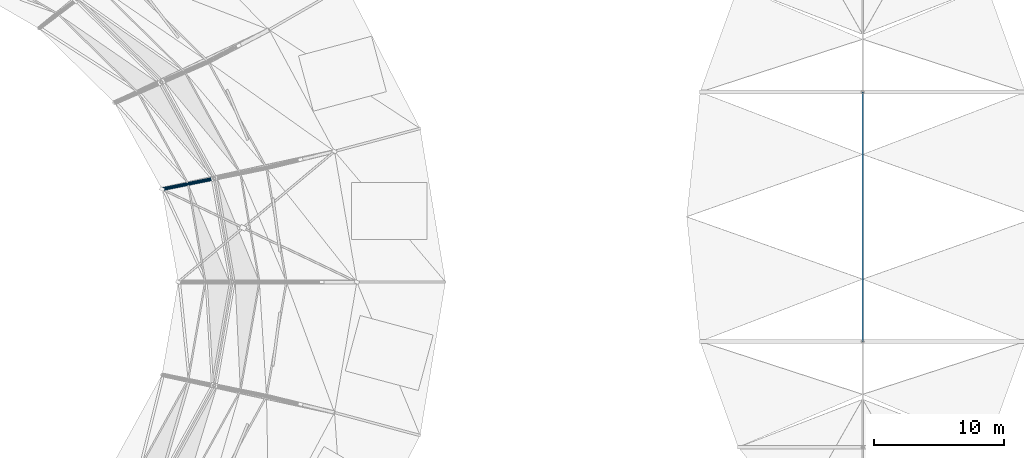
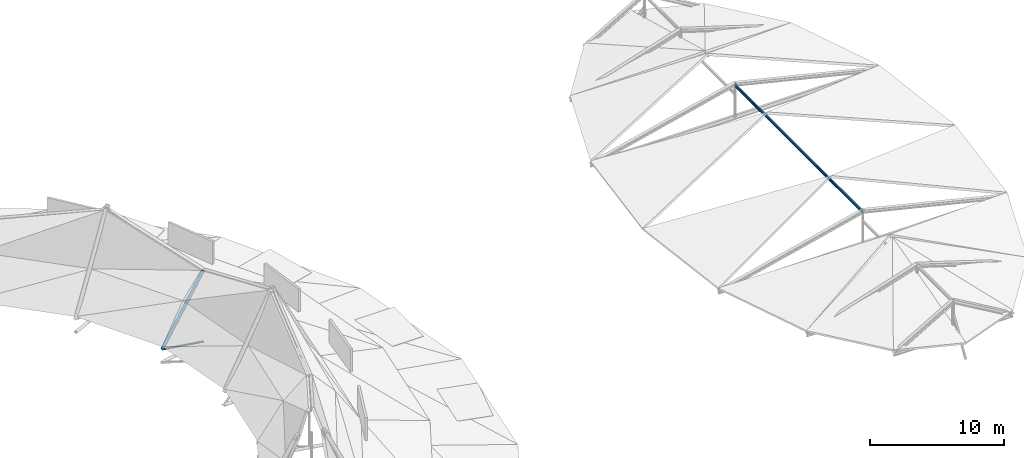
# One storey, part 21 of 36: 3 members.
"""IFC4 building model written with IfcOpenShell, lengths in metres."""

from ifc_helpers import new_model, si_unit, direction, frame, origin, origin_2d, place, context, subcontext, project, spatial, hollow_circle, i_section, extrude, material, material_profile, profile_set, type_object, element, save


model = new_model("IFC4")

# Units and contexts
model_context = context("Model", 3, precision=1e-05, world=origin(), true_north=direction((0.0, 1.0)))
body_context = subcontext(model_context, "Body", "Model", "MODEL_VIEW")
ifc_project = project(units=[si_unit("LENGTHUNIT", "METRE"), si_unit("AREAUNIT", "SQUARE_METRE"), si_unit("VOLUMEUNIT", "CUBIC_METRE"), si_unit("PLANEANGLEUNIT", "RADIAN"), si_unit("MASSUNIT", "GRAM", prefix="KILO")], contexts=[model_context])

# Site, building, storey
site_placement = place(None, origin())
site = spatial("IfcSite", under=ifc_project, at=site_placement, CompositionType="ELEMENT")
building_placement = place(site_placement, origin())
building = spatial("IfcBuilding", under=site, at=building_placement, Name="Kildeholm Park Wholesale Market", CompositionType="ELEMENT")
storey_placement = place(building_placement, frame((0.0, 0.0, 17.39990234375)))
storey = spatial("IfcBuildingStorey", under=building, at=storey_placement, Name="Roof", CompositionType="ELEMENT", Elevation=17.39990234375)

# Members
ifc_material = material(Name="Steel S355", Category="steel")
ifc_material_profile_1 = material_profile(ifc_material, i_section(OverallWidth=0.1201171875, OverallDepth=0.239990234375, WebThickness=0.006103515625, FlangeThickness=0.009765625, FilletRadius=0.014892578125, at=origin_2d()), Name="IPE 240")
ifc_profile_set_1 = profile_set([ifc_material_profile_1], Name="Steel S355")
member_type_1 = type_object("IfcMemberType", Name="Member PR-02 IPE 240", PredefinedType="PURLIN", material=ifc_profile_set_1)
member_1_placement = place(storey_placement, frame((188.0, 104.06689453125, -2.619873046875), z_axis=(0.0, -1.0, 0.0), x_axis=(1.0, 0.0, 0.0)))
element("IfcMember", 1, at=member_1_placement, inside=storey, type_object=member_type_1, Name="Member PR-V2-RDG-04 MEM-0328", PredefinedType="PURLIN", context=body_context, shape_type="SweptSolid", body=[
    extrude(i_section(OverallWidth=0.1201171875, OverallDepth=0.239990234375, WebThickness=0.006103515625, FlangeThickness=0.009765625, FilletRadius=0.014892578125, at=origin_2d()), origin(), (0.0, 0.0, 1.0), 19.1337890625),
])
ifc_material_profile_2 = material_profile(ifc_material, hollow_circle(Radius=0.084228515625, WallThickness=0.010009765625, at=origin_2d()), Name="CHS 168.3x10")
ifc_profile_set_2 = profile_set([ifc_material_profile_2], Name="Steel S355")
member_type_2 = type_object("IfcMemberType", Name="Member TB-01 CHS 168.3x10", PredefinedType="BRACE", material=ifc_profile_set_2)
member_2_placement = place(storey_placement, frame((138.263916015625, 97.43310546875, -4.6298828125), z_axis=(-0.940919042556, -0.191382107888, 0.279363999355), x_axis=(0.199317895767, -0.979934883769, 0.0)))
element("IfcMember", 2, at=member_2_placement, inside=storey, type_object=member_type_2, Name="Member TR-V1-01-WB3 MEM-0023", PredefinedType="BRACE", context=body_context, shape_type="SweptSolid", body=[
    extrude(hollow_circle(Radius=0.084228515625, WallThickness=0.010009765625, at=origin_2d()), origin(), (0.0, 0.0, 1.0), 4.259521484375),
])
ifc_material_profile_3 = material_profile(ifc_material, hollow_circle(Radius=0.136474609375, WallThickness=0.01611328125, at=origin_2d()), Name="CHS 273x16")
ifc_profile_set_3 = profile_set([ifc_material_profile_3], Name="Steel S355")
member_type_3 = type_object("IfcMemberType", Name="Member TC-02 CHS 273x16", PredefinedType="CHORD", material=ifc_profile_set_3)
member_3_placement = place(storey_placement, frame((138.263916015625, 97.43310546875, 1.860107421875), z_axis=(-0.598663896267, -0.121767711357, -0.791690699565), x_axis=(0.199317895767, -0.979934883769, 0.0)))
element("IfcMember", 3, at=member_3_placement, inside=storey, type_object=member_type_3, Name="Member TR-V1-01-TC3 MEM-0018", PredefinedType="CHORD", context=body_context, shape_type="SweptSolid", body=[
    extrude(hollow_circle(Radius=0.136474609375, WallThickness=0.01611328125, at=origin_2d()), origin(), (0.0, 0.0, 1.0), 6.694580078125),
])

save(model, "model.ifc")
